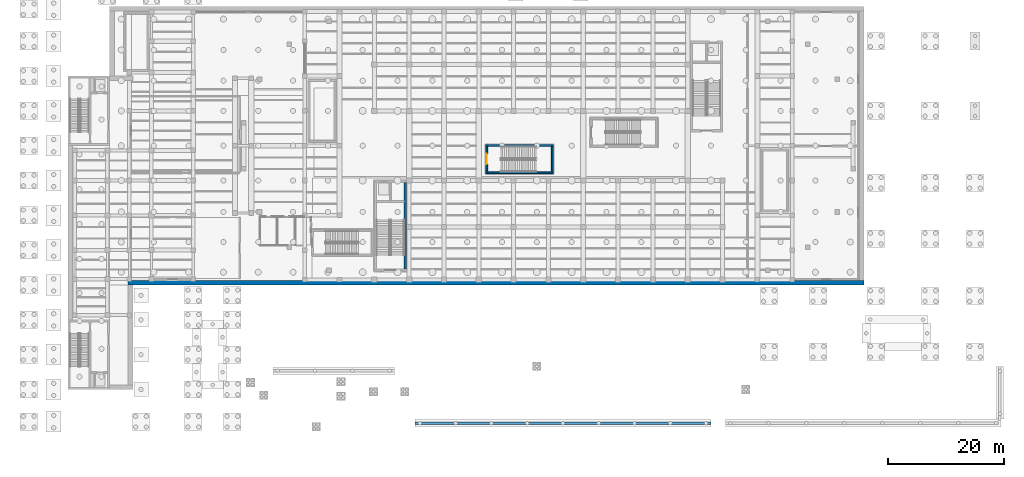
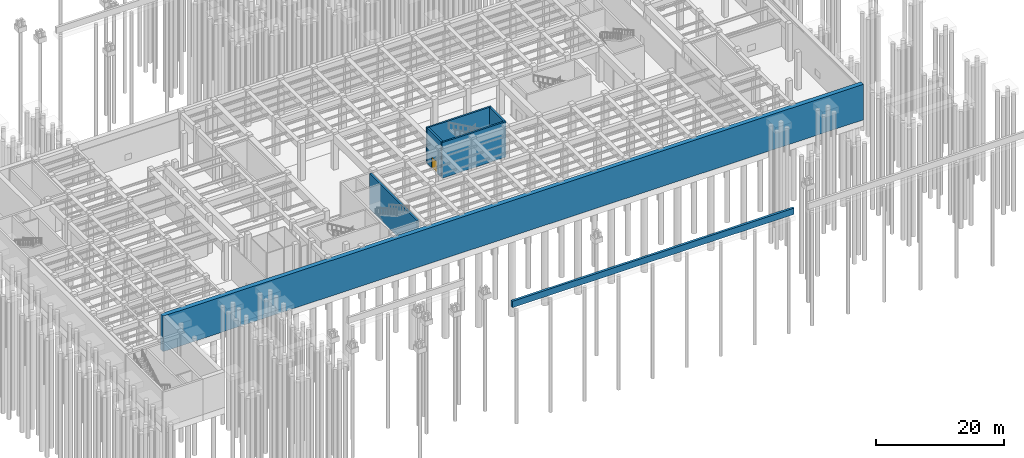
# One storey, part 15 of 30: 7 walls, 1 door, 1 opening.
"""IFC4 building model written with IfcOpenShell, lengths in metres."""

import ifcopenshell
import ifcopenshell.guid

model = None  # the IFC model being written
_history = None  # IfcOwnerHistory: only IFC2X3 demands one
_inside = {}  # id of a spatial element -> (the spatial element, [elements in it])
_under = {}  # id of a project, library or spatial element -> (it, [spatial elements below it])
_declared = {}  # id of a project -> (the project, [libraries it declares])
_typed = {}  # id of a type object -> (the type object, [elements of that type])
_made_of = {}  # id of a material, layer set ... -> (it, [elements and type objects made of it])


def new_model(schema):
    """Start an empty IFC model of exactly this schema.

    Asked for "IFC4X3", IfcOpenShell would pick the latest addendum, in which some entities
    have other attributes; the version numbers below select the first issue.
    IFC2X3 requires an IfcOwnerHistory on every rooted entity: one is made here for all.
    """
    global model, _history
    if schema == "IFC4X3":
        model = ifcopenshell.file(schema_version=(4, 3, 0, 0))
    else:
        model = ifcopenshell.file(schema=schema)
    _inside.clear()
    _under.clear()
    _declared.clear()
    _typed.clear()
    _made_of.clear()
    _history = None
    if model.schema == "IFC2X3":
        org = make("IfcOrganization", Name="unknown")
        user = make(
            "IfcPersonAndOrganization",
            ThePerson=make("IfcPerson", FamilyName="unknown"),
            TheOrganization=org,
        )
        app = make(
            "IfcApplication",
            ApplicationDeveloper=org,
            Version="unknown",
            ApplicationFullName="unknown",
            ApplicationIdentifier="unknown",
        )
        _history = make(
            "IfcOwnerHistory",
            OwningUser=user,
            OwningApplication=app,
            ChangeAction="ADDED",
            CreationDate=0,
        )
    return model


def make(cls, **values):
    """One entity of the class cls with the attributes given. An attribute that is None is left unset."""
    return model.create_entity(
        cls, **{name: value for name, value in values.items() if value is not None}
    )


def rooted(cls, **values):
    """An entity with a GlobalId (a new one), such as an element, a storey or a relation."""
    return make(cls, GlobalId=ifcopenshell.guid.new(), OwnerHistory=_history, **values)


def si_unit(unit_type, name, prefix=None):
    """IfcSIUnit, for example si_unit("LENGTHUNIT", "METRE", prefix="MILLI")."""
    return make("IfcSIUnit", UnitType=unit_type, Prefix=prefix, Name=name)


def assignment(units):
    """IfcUnitAssignment: the units of a project."""
    return None if units is None else make("IfcUnitAssignment", Units=units)


def point(xyz):
    """IfcCartesianPoint."""
    return None if xyz is None else make("IfcCartesianPoint", Coordinates=xyz)


def direction(xyz):
    """IfcDirection."""
    return None if xyz is None else make("IfcDirection", DirectionRatios=xyz)


def frame(location, z_axis=None, x_axis=None):
    """IfcAxis2Placement3D, a coordinate frame: its origin and axes. An axis left out is left unset."""
    return make(
        "IfcAxis2Placement3D",
        Location=point(location),
        Axis=direction(z_axis),
        RefDirection=direction(x_axis),
    )


def frame_2d(location, x_axis=None):
    """IfcAxis2Placement2D, a coordinate frame in the plane: its origin and x axis."""
    return make(
        "IfcAxis2Placement2D", Location=point(location), RefDirection=direction(x_axis)
    )


def origin():
    """The frame at (0, 0, 0) with its axes left unset."""
    return frame((0.0, 0.0, 0.0))


def place(relative_to, where):
    """IfcLocalPlacement: puts the frame where relative to a parent placement (None: the world)."""
    return make(
        "IfcLocalPlacement", PlacementRelTo=relative_to, RelativePlacement=where
    )


def context(
    kind, dimensions, precision=None, world=None, true_north=None, identifier=None
):
    """IfcGeometricRepresentationContext, for example the 3D "Model" context."""
    return make(
        "IfcGeometricRepresentationContext",
        ContextIdentifier=identifier,
        ContextType=kind,
        CoordinateSpaceDimension=dimensions,
        Precision=precision,
        WorldCoordinateSystem=world,
        TrueNorth=true_north,
    )


def subcontext(parent, identifier, kind, view, scale=None):
    """IfcGeometricRepresentationSubContext, for example "Body" below "Model"."""
    return make(
        "IfcGeometricRepresentationSubContext",
        ContextIdentifier=identifier,
        ContextType=kind,
        ParentContext=parent,
        TargetScale=scale,
        TargetView=view,
    )


def project(units=None, contexts=None):
    """IfcProject with its units and contexts."""
    return rooted(
        "IfcProject",
        Name="project",
        RepresentationContexts=contexts,
        UnitsInContext=assignment(units),
    )


def spatial(cls, under=None, at=None, **own):
    """A site, building, storey or space (cls), placed at a placement, below another one or the project."""
    s = rooted(cls, ObjectPlacement=at, **own)
    if under is not None:
        _under.setdefault(under.id(), (under, []))[1].append(s)
    return s


def profile(cls, at=None, kind="AREA", **sizes):
    """A parametric profile (cls). Its sizes go by their IFC names, for example OverallWidth=200.0."""
    return make(cls, ProfileType=kind, Position=at, **sizes)


def rectangle(**sizes):
    """IfcRectangleProfileDef."""
    return profile("IfcRectangleProfileDef", **sizes)


def extrude(swept, where, along, depth):
    """IfcExtrudedAreaSolid: the profile swept, set in the frame where, extruded along a direction by depth."""
    return make(
        "IfcExtrudedAreaSolid",
        SweptArea=swept,
        Position=where,
        ExtrudedDirection=direction(along),
        Depth=depth,
    )


def shape(context_of_items, identifier, shape_type, items):
    """IfcShapeRepresentation: the items that make up one representation, for example the "Body"."""
    return make(
        "IfcShapeRepresentation",
        ContextOfItems=context_of_items,
        RepresentationIdentifier=identifier,
        RepresentationType=shape_type,
        Items=items,
    )


def material(Name=None, Category=None):
    """IfcMaterial."""
    return make("IfcMaterial", Name=Name, Category=Category)


def layer(
    of_material, thickness, ventilated=None, Name=None, Category=None, Priority=None
):
    """IfcMaterialLayer: one layer of a wall or slab, of a material (None: an air gap)."""
    return make(
        "IfcMaterialLayer",
        Material=of_material,
        LayerThickness=thickness,
        IsVentilated=ventilated,
        Name=Name,
        Category=Category,
        Priority=Priority,
    )


def layer_set(layers, Name=None):
    """IfcMaterialLayerSet."""
    return make("IfcMaterialLayerSet", MaterialLayers=layers, LayerSetName=Name)


def made_of(thing, what):
    """Note that an element or type object is made of a material, layer set ...; save() writes the relation."""
    if what is not None:
        _made_of.setdefault(what.id(), (what, []))[1].append(thing)
    return thing


def type_object(cls, material=None, **own):
    """A type object (cls), such as IfcWallType, which elements share."""
    return made_of(rooted(cls, **own), material)


def element(
    cls,
    number,
    at=None,
    inside=None,
    cuts=None,
    type_object=None,
    material=None,
    context=None,
    identifier="Body",
    shape_type=None,
    held_by="IfcProductDefinitionShape",
    body=None,
    shapes=None,
    **own,
):
    """One element of the class cls, such as IfcWall. Its Tag is "e" and its number.

    at: its placement. inside: the storey or other place that contains it. cuts: it is an
    opening in that element (IfcRelVoidsElement). A single representation is given by context,
    identifier, shape_type and body (its items); several are given by shapes. held_by: the class
    of the entity that holds the representations. save() writes the other relations.
    """
    e = rooted(cls, Tag="e%d" % number, ObjectPlacement=at, **own)
    if body is not None:
        shapes = [shape(context, identifier, shape_type, body)]
    if shapes is not None:
        e.Representation = make(held_by, Representations=shapes)
    if inside is not None:
        _inside.setdefault(inside.id(), (inside, []))[1].append(e)
    if cuts is not None:
        rooted(
            "IfcRelVoidsElement", RelatingBuildingElement=cuts, RelatedOpeningElement=e
        )
    if type_object is not None:
        _typed.setdefault(type_object.id(), (type_object, []))[1].append(e)
    return made_of(e, material)


def fill(opening, filler):
    """IfcRelFillsElement: the door or window that sits in an opening."""
    return rooted(
        "IfcRelFillsElement",
        RelatingOpeningElement=opening,
        RelatedBuildingElement=filler,
    )


def aggregate(whole, parts):
    """IfcRelAggregates: a whole, such as a stair, and the parts it consists of."""
    return rooted("IfcRelAggregates", RelatingObject=whole, RelatedObjects=parts)


def save(model, path):
    """Write the relations noted so far, then the file.

    IfcRelAggregates (storeys below a building ...), IfcRelContainedInSpatialStructure (elements
    in a storey), IfcRelDefinesByType, IfcRelAssociatesMaterial and IfcRelDeclares: one each for
    every whole, place, type object, material and project.
    """
    for whole, parts in _under.values():
        aggregate(whole, parts)
    for where, things in _inside.values():
        rooted(
            "IfcRelContainedInSpatialStructure",
            RelatedElements=things,
            RelatingStructure=where,
        )
    for kind, things in _typed.values():
        rooted("IfcRelDefinesByType", RelatedObjects=things, RelatingType=kind)
    for what, things in _made_of.values():
        rooted("IfcRelAssociatesMaterial", RelatedObjects=things, RelatingMaterial=what)
    for by, libraries in _declared.values():
        rooted("IfcRelDeclares", RelatingContext=by, RelatedDefinitions=libraries)
    model.write(path)


model = new_model("IFC4")

# Units and contexts
model_context = context("Model", 3, precision=1e-05, world=origin(), true_north=direction((0.0, 1.0)))
body_context = subcontext(model_context, "Body", "Model", "MODEL_VIEW")
ifc_project = project(units=[si_unit("LENGTHUNIT", "METRE"), si_unit("AREAUNIT", "SQUARE_METRE"), si_unit("VOLUMEUNIT", "CUBIC_METRE"), si_unit("PLANEANGLEUNIT", "RADIAN"), si_unit("MASSUNIT", "GRAM", prefix="KILO")], contexts=[model_context])

# Site, building, storey
site_placement = place(None, origin())
site = spatial("IfcSite", under=ifc_project, at=site_placement, CompositionType="ELEMENT")
building_placement = place(site_placement, origin())
building = spatial("IfcBuilding", under=site, at=building_placement, Name="Kolvaren Corner Interchange", CompositionType="ELEMENT")
storey_placement = place(building_placement, frame((0.0, 0.0, -7.199951171875)))
storey = spatial("IfcBuildingStorey", under=building, at=storey_placement, Name="B1", CompositionType="ELEMENT", Elevation=-7.199951171875)

# Walls
ifc_material_1 = material(Name="Concrete C35/45", Category="concrete")
ifc_layer_1 = layer(ifc_material_1, 0.35009765625)
ifc_layer_set_1 = layer_set([ifc_layer_1], Name="Concrete C35/45")
wall_type_1 = type_object("IfcWallType", Name="WL-CORE-350", PredefinedType="SHEAR", material=ifc_layer_set_1)
wall_1_placement = place(storey_placement, frame((65.324951171875, 26.75, 0.0), z_axis=(0.0, 0.0, 1.0), x_axis=(0.0, 1.0, 0.0)))
element("IfcWall", 1, at=wall_1_placement, inside=storey, type_object=wall_type_1, Name="Core C3 B1 East Shear Wall", PredefinedType="SHEAR", context=body_context, shape_type="SweptSolid", body=[
    extrude(rectangle(XDim=14.89990234375, YDim=0.35009765625, at=frame_2d((7.449951171875, 0.0))), origin(), (0.0, 0.0, 1.0), 6.800048828125),
])
ifc_material_2 = material(Name="Concrete C40/50", Category="concrete")
ifc_layer_2 = layer(ifc_material_2, 0.800048828125)
ifc_layer_set_2 = layer_set([ifc_layer_2], Name="Concrete C40/50")
wall_type_2 = type_object("IfcWallType", Name="WL-METRO-800", PredefinedType="SHEAR", material=ifc_layer_set_2)
wall_2_placement = place(storey_placement, frame((17.60009765625, 24.39990234375, 0.0), z_axis=(0.0, 0.0, 1.0), x_axis=(1.0, 0.0, 0.0)))
element("IfcWall", 2, at=wall_2_placement, inside=storey, type_object=wall_type_2, Name="Metro Station South Diaphragm Wall", PredefinedType="SHEAR", context=body_context, shape_type="SweptSolid", body=[
    extrude(rectangle(XDim=126.7998046875, YDim=0.800048828125, at=frame_2d((63.39990234375, 0.0))), origin(), (0.0, 0.0, 1.0), 6.800048828125),
])
ifc_material_3 = material(Name="Concrete C40/50", Category="concrete")
ifc_layer_3 = layer(ifc_material_3, 0.419921875)
ifc_layer_set_3 = layer_set([ifc_layer_3], Name="Concrete C40/50")
wall_type_3 = type_object("IfcWallType", Name="WL-RET-400", PredefinedType="USERDEFINED", material=ifc_layer_set_3)
wall_3_placement = place(storey_placement, frame((67.0, 0.2099609375, 5.699951171875), z_axis=(0.0, 0.0, 1.0), x_axis=(1.0, 0.0, 0.0)))
element("IfcWall", 3, at=wall_3_placement, inside=storey, type_object=wall_type_3, Name="South Forecourt Plinth Retaining Wall", ObjectType="RETAINING WALL", PredefinedType="USERDEFINED", context=body_context, shape_type="SweptSolid", body=[
    extrude(rectangle(XDim=51.0, YDim=0.419921875, at=frame_2d((25.5, 0.0))), origin(), (0.0, 0.0, 1.0), 1.2099609375),
])
ifc_material_4 = material(Name="Concrete C35/45", Category="concrete")
ifc_layer_4 = layer(ifc_material_4, 0.31005859375)
ifc_layer_set_4 = layer_set([ifc_layer_4], Name="Concrete C35/45")
wall_type_4 = type_object("IfcWallType", Name="WL-STAIR-300", PredefinedType="SHEAR", material=ifc_layer_set_4)
for number, where, z_axis, x_axis, name in (
    (4, (79.199951171875, 43.35498046875, 0.0), (0.0, 0.0, 1.0), (1.0, 0.0, 0.0), "Metro Island Platform West Transfer Stair B1 South Enclosure Wall"),
    (5, (79.199951171875, 48.044921875, 0.0), (0.0, 0.0, 1.0), (1.0, 0.0, 0.0), "Metro Island Platform West Transfer Stair B1 North Enclosure Wall"),
):
    element("IfcWall", number, at=place(storey_placement, frame(where, z_axis=z_axis, x_axis=x_axis)), inside=storey, type_object=wall_type_4, Name=name, PredefinedType="SHEAR", context=body_context, shape_type="SweptSolid", body=[
        extrude(rectangle(XDim=11.60009765625, YDim=0.31005859375, at=frame_2d((5.800048828125, 0.0))), origin(), (0.0, 0.0, 1.0), 6.800048828125),
    ])

# Wall, opening, door
wall_4_placement = place(storey_placement, frame((79.35498046875, 43.510009765625, 0.0), z_axis=(0.0, 0.0, 1.0), x_axis=(0.0, 1.0, 0.0)))
wall_4 = element("IfcWall", 6, at=wall_4_placement, inside=storey, type_object=wall_type_4, Name="Metro Island Platform West Transfer Stair B1 West Enclosure Wall", PredefinedType="SHEAR", context=body_context, shape_type="SweptSolid", body=[
    extrude(rectangle(XDim=4.3798828125, YDim=0.31005859375, at=frame_2d((2.18994140625, 0.0))), origin(), (0.0, 0.0, 1.0), 6.800048828125),
])
opening_placement = place(wall_4_placement, frame((1.2900390625, 0.0, 0.0)))
opening = element("IfcOpeningElement", 7, at=opening_placement, cuts=wall_4, Name="Opening D-F01", PredefinedType="OPENING", context=body_context, shape_type="SweptSolid", body=[
    extrude(rectangle(XDim=1.800048828125, YDim=2.14990234375, at=frame_2d((0.89990234375, 1.074951171875))), frame((0.0, 0.1650390625, 0.0), z_axis=(0.0, -1.0, 0.0), x_axis=(1.0, 0.0, 0.0)), (0.0, 0.0, 1.0), 0.330078125),
])
ifc_material_5 = material(Name="Powder-coated Fire-rated Steel Sheet", Category="steel")
door_type = type_object("IfcDoorType", Name="DT-FD-1800x2150", OperationType="NOTDEFINED", PredefinedType="DOOR", material=ifc_material_5)
door_placement = place(opening_placement, origin())
door = element("IfcDoor", 8, at=door_placement, inside=storey, type_object=door_type, Name="Metro Island Platform West Transfer Stair B1 Protected Exit Door", OperationType="DOUBLE_DOOR_SINGLE_SWING", OverallHeight=2.14990234375, OverallWidth=1.800048828125, PredefinedType="DOOR", context=body_context, shape_type="SweptSolid", body=[
    extrude(rectangle(XDim=1.800048828125, YDim=2.14990234375, at=frame_2d((0.89990234375, 1.074951171875))), frame((0.0, 0.02490234375, 0.0), z_axis=(0.0, -1.0, 0.0), x_axis=(1.0, 0.0, 0.0)), (0.0, 0.0, 1.0), 0.050048828125),
])
fill(opening, door)

# Wall
wall_5_placement = place(storey_placement, frame((90.64501953125, 43.510009765625, 0.0), z_axis=(0.0, 0.0, 1.0), x_axis=(0.0, 1.0, 0.0)))
element("IfcWall", 9, at=wall_5_placement, inside=storey, type_object=wall_type_4, Name="Metro Island Platform West Transfer Stair B1 East Enclosure Wall", PredefinedType="SHEAR", context=body_context, shape_type="SweptSolid", body=[
    extrude(rectangle(XDim=4.3798828125, YDim=0.31005859375, at=frame_2d((2.18994140625, 0.0))), origin(), (0.0, 0.0, 1.0), 6.800048828125),
])

save(model, "model.ifc")
